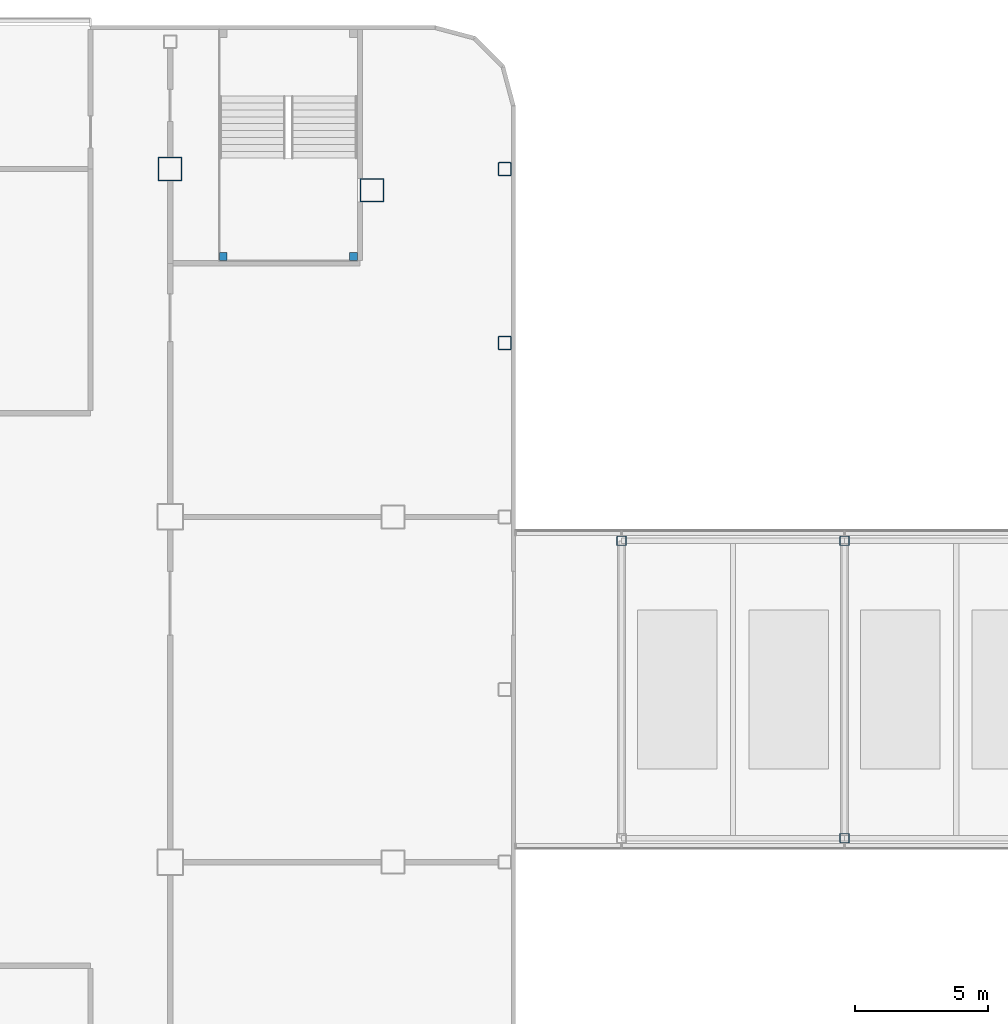
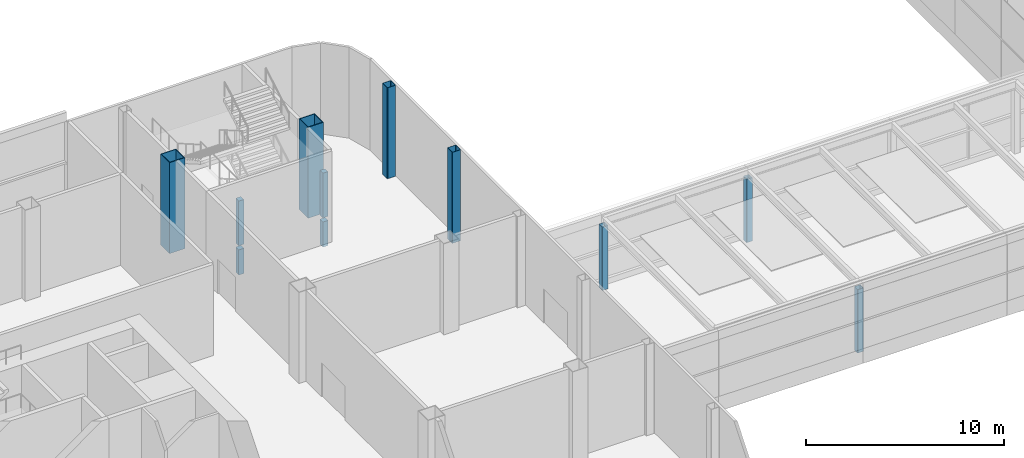
# One storey, part 7 of 100: 11 columns.
"""IFC4 building model written with IfcOpenShell, lengths in metres."""

from ifc_helpers import new_model, si_unit, direction, frame, origin, origin_2d, place, context, subcontext, project, spatial, rectangle, hollow_rectangle, extrude, material, material_profile, profile_set, type_object, element, save


model = new_model("IFC4")

# Units and contexts
model_context = context("Model", 3, precision=1e-05, world=origin(), true_north=direction((0.0, 1.0)))
body_context = subcontext(model_context, "Body", "Model", "MODEL_VIEW")
ifc_project = project(units=[si_unit("LENGTHUNIT", "METRE"), si_unit("AREAUNIT", "SQUARE_METRE"), si_unit("VOLUMEUNIT", "CUBIC_METRE"), si_unit("PLANEANGLEUNIT", "RADIAN"), si_unit("MASSUNIT", "GRAM", prefix="KILO")], contexts=[model_context])

# Site, building, storey
site_placement = place(None, origin())
site = spatial("IfcSite", under=ifc_project, at=site_placement, CompositionType="ELEMENT")
building_placement = place(site_placement, origin())
building = spatial("IfcBuilding", under=site, at=building_placement, Name="Hakoniwa Tower and Hamabe Station Hall", CompositionType="ELEMENT")
storey_placement = place(building_placement, frame((0.0, 0.0, 9.0)))
storey = spatial("IfcBuildingStorey", under=building, at=storey_placement, Name="L02", CompositionType="ELEMENT", Elevation=9.0)

# Columns
ifc_material_1 = material(Name="Steel BCR295", Category="steel")
ifc_material_profile_1 = material_profile(ifc_material_1, hollow_rectangle(XDim=0.35009765625, YDim=0.35009765625, WallThickness=0.011962890625, OuterFilletRadius=0.026123046875, at=origin_2d()), Name="ARCADE COLUMN BCR-350x350x12")
ifc_profile_set_1 = profile_set([ifc_material_profile_1], Name="Steel BCR295")
column_type_1 = type_object("IfcColumnType", Name="ARCADE COLUMN BCR-350x350x12", PredefinedType="COLUMN", material=ifc_profile_set_1)
for number, where, z_axis, x_axis, name in (
    (1, (59.0, 5.60009765625, 0.0), (0.0, 0.0, 1.0), (1.0, 0.0, 0.0), "Arcade upper column AC1N"),
    (2, (67.39990234375, -5.60009765625, 0.0), (0.0, 0.0, 1.0), (1.0, 0.0, 0.0), "Arcade upper column AC2S"),
    (3, (67.39990234375, 5.60009765625, 0.0), (0.0, 0.0, 1.0), (1.0, 0.0, 0.0), "Arcade upper column AC2N"),
):
    element("IfcColumn", number, at=place(storey_placement, frame(where, z_axis=z_axis, x_axis=x_axis)), inside=storey, type_object=column_type_1, Name=name, PredefinedType="COLUMN", context=body_context, shape_type="SweptSolid", body=[
        extrude(hollow_rectangle(XDim=0.35009765625, YDim=0.35009765625, WallThickness=0.011962890625, OuterFilletRadius=0.026123046875, at=origin_2d()), origin(), (0.0, 0.0, 1.0), 3.89990234375),
    ])
ifc_material_2 = material(Name="Steel BCR295", Category="steel")
ifc_material_profile_2 = material_profile(ifc_material_2, hollow_rectangle(XDim=0.5, YDim=0.5, WallThickness=0.01904296875, InnerFilletRadius=0.028564453125, OuterFilletRadius=0.047607421875, at=origin_2d()), Name="BCR-500x500x19")
ifc_profile_set_2 = profile_set([ifc_material_profile_2], Name="Steel BCR295")
column_type_2 = type_object("IfcColumnType", Name="COLUMN BCR-500x500x19", PredefinedType="COLUMN", material=ifc_profile_set_2)
for number, where, z_axis, x_axis, name in (
    (4, (54.60009765625, 13.050048828125, 0.0), (0.0, 0.0, 1.0), (1.0, 0.0, 0.0), "Column P-RE-F1"),
    (5, (54.60009765625, 19.60009765625, 0.0), (0.0, 0.0, 1.0), (1.0, 0.0, 0.0), "Column P-RE-G1"),
):
    element("IfcColumn", number, at=place(storey_placement, frame(where, z_axis=z_axis, x_axis=x_axis)), inside=storey, type_object=column_type_2, Name=name, PredefinedType="COLUMN", context=body_context, shape_type="SweptSolid", body=[
        extrude(hollow_rectangle(XDim=0.5, YDim=0.5, WallThickness=0.01904296875, InnerFilletRadius=0.028564453125, OuterFilletRadius=0.047607421875, at=origin_2d()), origin(), (0.0, 0.0, 1.0), 5.60009765625),
    ])
ifc_material_3 = material(Name="Steel SN490C", Category="steel")
ifc_material_profile_3 = material_profile(ifc_material_3, hollow_rectangle(XDim=0.89990234375, YDim=0.89990234375, WallThickness=0.035888671875, at=origin_2d()), Name="BX-900x900x36")
ifc_profile_set_3 = profile_set([ifc_material_profile_3], Name="Steel SN490C")
column_type_3 = type_object("IfcColumnType", Name="COLUMN BX-900x900x36", PredefinedType="COLUMN", material=ifc_profile_set_3)
for number, where, z_axis, x_axis, name in (
    (6, (42.0, 19.60009765625, 0.0), (0.0, 0.0, 1.0), (1.0, 0.0, 0.0), "Column P-12-G1"),
    (7, (49.60302734375, 18.802978515625, 0.0), (0.0, 0.0, 1.0), (1.0, 0.0, 0.0), "Column P-13-G1"),
):
    element("IfcColumn", number, at=place(storey_placement, frame(where, z_axis=z_axis, x_axis=x_axis)), inside=storey, type_object=column_type_3, Name=name, PredefinedType="COLUMN", context=body_context, shape_type="SweptSolid", body=[
        extrude(hollow_rectangle(XDim=0.89990234375, YDim=0.89990234375, WallThickness=0.035888671875, at=origin_2d()), origin(), (0.0, 0.0, 1.0), 5.60009765625),
    ])
ifc_material_4 = material(Name="Concrete C40", Category="concrete")
ifc_material_profile_4 = material_profile(ifc_material_4, rectangle(XDim=0.300048828125, YDim=0.300048828125, at=origin_2d()), Name="STAIR LANDING POST 300X300")
ifc_profile_set_4 = profile_set([ifc_material_profile_4], Name="Concrete C40")
column_type_4 = type_object("IfcColumnType", Name="STAIR LANDING POST 300X300", PredefinedType="COLUMN", material=ifc_profile_set_4)
for number, where, z_axis, x_axis, name in (
    (8, (44.0, 16.300048828125, -0.300048828125), (0.0, 0.0, 1.0), (1.0, 0.0, 0.0), "Landing post PS2 2a first floor"),
    (9, (48.89990234375, 16.300048828125, -0.300048828125), (0.0, 0.0, 1.0), (1.0, 0.0, 0.0), "Landing post PS2 2b first floor"),
):
    element("IfcColumn", number, at=place(storey_placement, frame(where, z_axis=z_axis, x_axis=x_axis)), inside=storey, type_object=column_type_4, Name=name, PredefinedType="COLUMN", context=body_context, shape_type="SweptSolid", body=[
        extrude(rectangle(XDim=0.300048828125, YDim=0.300048828125, at=origin_2d()), origin(), (0.0, 0.0, 1.0), 1.550048828125),
    ])
for number, where, z_axis, x_axis, name in (
    (10, (44.0, 16.300048828125, 1.5), (0.0, 0.0, 1.0), (1.0, 0.0, 0.0), "Landing post PS2 2a"),
    (11, (48.89990234375, 16.300048828125, 1.5), (0.0, 0.0, 1.0), (1.0, 0.0, 0.0), "Landing post PS2 2b"),
):
    element("IfcColumn", number, at=place(storey_placement, frame(where, z_axis=z_axis, x_axis=x_axis)), inside=storey, type_object=column_type_4, Name=name, PredefinedType="COLUMN", context=body_context, shape_type="SweptSolid", body=[
        extrude(rectangle(XDim=0.300048828125, YDim=0.300048828125, at=origin_2d()), origin(), (0.0, 0.0, 1.0), 2.75),
    ])

save(model, "model.ifc")
